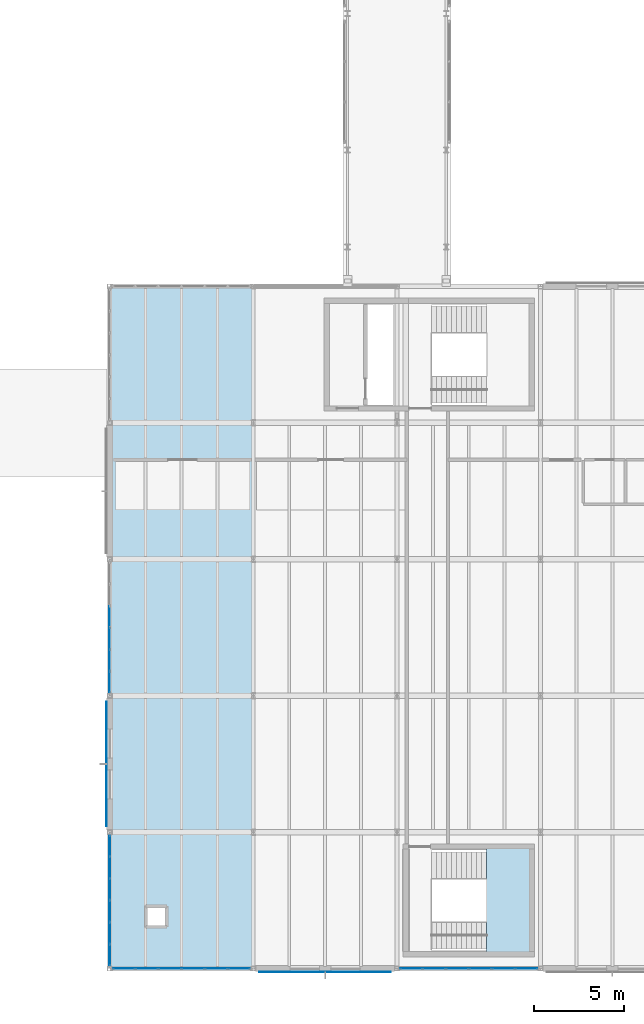
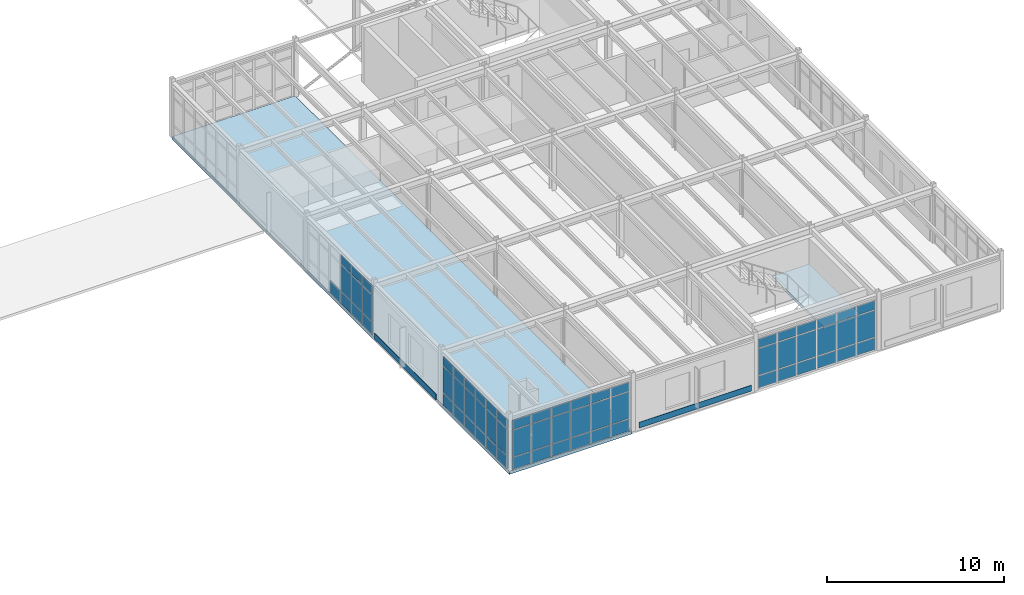
# One storey, part 150 of 189: 66 plates, 2 slabs, 5 elements without a shape of their own.
"""IFC4 building model written with IfcOpenShell, lengths in metres."""

import ifcopenshell
import ifcopenshell.guid

model = None  # the IFC model being written
_history = None  # IfcOwnerHistory: only IFC2X3 demands one
_inside = {}  # id of a spatial element -> (the spatial element, [elements in it])
_under = {}  # id of a project, library or spatial element -> (it, [spatial elements below it])
_declared = {}  # id of a project -> (the project, [libraries it declares])
_typed = {}  # id of a type object -> (the type object, [elements of that type])
_made_of = {}  # id of a material, layer set ... -> (it, [elements and type objects made of it])


def new_model(schema):
    """Start an empty IFC model of exactly this schema.

    Asked for "IFC4X3", IfcOpenShell would pick the latest addendum, in which some entities
    have other attributes; the version numbers below select the first issue.
    IFC2X3 requires an IfcOwnerHistory on every rooted entity: one is made here for all.
    """
    global model, _history
    if schema == "IFC4X3":
        model = ifcopenshell.file(schema_version=(4, 3, 0, 0))
    else:
        model = ifcopenshell.file(schema=schema)
    _inside.clear()
    _under.clear()
    _declared.clear()
    _typed.clear()
    _made_of.clear()
    _history = None
    if model.schema == "IFC2X3":
        org = make("IfcOrganization", Name="unknown")
        user = make(
            "IfcPersonAndOrganization",
            ThePerson=make("IfcPerson", FamilyName="unknown"),
            TheOrganization=org,
        )
        app = make(
            "IfcApplication",
            ApplicationDeveloper=org,
            Version="unknown",
            ApplicationFullName="unknown",
            ApplicationIdentifier="unknown",
        )
        _history = make(
            "IfcOwnerHistory",
            OwningUser=user,
            OwningApplication=app,
            ChangeAction="ADDED",
            CreationDate=0,
        )
    return model


def make(cls, **values):
    """One entity of the class cls with the attributes given. An attribute that is None is left unset."""
    return model.create_entity(
        cls, **{name: value for name, value in values.items() if value is not None}
    )


def rooted(cls, **values):
    """An entity with a GlobalId (a new one), such as an element, a storey or a relation."""
    return make(cls, GlobalId=ifcopenshell.guid.new(), OwnerHistory=_history, **values)


def si_unit(unit_type, name, prefix=None):
    """IfcSIUnit, for example si_unit("LENGTHUNIT", "METRE", prefix="MILLI")."""
    return make("IfcSIUnit", UnitType=unit_type, Prefix=prefix, Name=name)


def assignment(units):
    """IfcUnitAssignment: the units of a project."""
    return None if units is None else make("IfcUnitAssignment", Units=units)


def point(xyz):
    """IfcCartesianPoint."""
    return None if xyz is None else make("IfcCartesianPoint", Coordinates=xyz)


def direction(xyz):
    """IfcDirection."""
    return None if xyz is None else make("IfcDirection", DirectionRatios=xyz)


def frame(location, z_axis=None, x_axis=None):
    """IfcAxis2Placement3D, a coordinate frame: its origin and axes. An axis left out is left unset."""
    return make(
        "IfcAxis2Placement3D",
        Location=point(location),
        Axis=direction(z_axis),
        RefDirection=direction(x_axis),
    )


def frame_2d(location, x_axis=None):
    """IfcAxis2Placement2D, a coordinate frame in the plane: its origin and x axis."""
    return make(
        "IfcAxis2Placement2D", Location=point(location), RefDirection=direction(x_axis)
    )


def origin():
    """The frame at (0, 0, 0) with its axes left unset."""
    return frame((0.0, 0.0, 0.0))


def origin_2d():
    """The frame at (0, 0) in the plane with its x axis left unset."""
    return frame_2d((0.0, 0.0))


def place(relative_to, where):
    """IfcLocalPlacement: puts the frame where relative to a parent placement (None: the world)."""
    return make(
        "IfcLocalPlacement", PlacementRelTo=relative_to, RelativePlacement=where
    )


def context(
    kind, dimensions, precision=None, world=None, true_north=None, identifier=None
):
    """IfcGeometricRepresentationContext, for example the 3D "Model" context."""
    return make(
        "IfcGeometricRepresentationContext",
        ContextIdentifier=identifier,
        ContextType=kind,
        CoordinateSpaceDimension=dimensions,
        Precision=precision,
        WorldCoordinateSystem=world,
        TrueNorth=true_north,
    )


def subcontext(parent, identifier, kind, view, scale=None):
    """IfcGeometricRepresentationSubContext, for example "Body" below "Model"."""
    return make(
        "IfcGeometricRepresentationSubContext",
        ContextIdentifier=identifier,
        ContextType=kind,
        ParentContext=parent,
        TargetScale=scale,
        TargetView=view,
    )


def project(units=None, contexts=None):
    """IfcProject with its units and contexts."""
    return rooted(
        "IfcProject",
        Name="project",
        RepresentationContexts=contexts,
        UnitsInContext=assignment(units),
    )


def spatial(cls, under=None, at=None, **own):
    """A site, building, storey or space (cls), placed at a placement, below another one or the project."""
    s = rooted(cls, ObjectPlacement=at, **own)
    if under is not None:
        _under.setdefault(under.id(), (under, []))[1].append(s)
    return s


def polyline(points):
    """IfcPolyline through the points."""
    return make("IfcPolyline", Points=[point(p) for p in points])


def profile(cls, at=None, kind="AREA", **sizes):
    """A parametric profile (cls). Its sizes go by their IFC names, for example OverallWidth=200.0."""
    return make(cls, ProfileType=kind, Position=at, **sizes)


def rectangle(**sizes):
    """IfcRectangleProfileDef."""
    return profile("IfcRectangleProfileDef", **sizes)


def outline(outer, holes=None, kind="AREA"):
    """IfcArbitraryClosedProfileDef: a profile drawn as a closed curve; with holes, ...WithVoids."""
    if holes is None:
        return make("IfcArbitraryClosedProfileDef", ProfileType=kind, OuterCurve=outer)
    return make(
        "IfcArbitraryProfileDefWithVoids",
        ProfileType=kind,
        OuterCurve=outer,
        InnerCurves=holes,
    )


def extrude(swept, where, along, depth):
    """IfcExtrudedAreaSolid: the profile swept, set in the frame where, extruded along a direction by depth."""
    return make(
        "IfcExtrudedAreaSolid",
        SweptArea=swept,
        Position=where,
        ExtrudedDirection=direction(along),
        Depth=depth,
    )


def shape(context_of_items, identifier, shape_type, items):
    """IfcShapeRepresentation: the items that make up one representation, for example the "Body"."""
    return make(
        "IfcShapeRepresentation",
        ContextOfItems=context_of_items,
        RepresentationIdentifier=identifier,
        RepresentationType=shape_type,
        Items=items,
    )


def material(Name=None, Category=None):
    """IfcMaterial."""
    return make("IfcMaterial", Name=Name, Category=Category)


def layer(
    of_material, thickness, ventilated=None, Name=None, Category=None, Priority=None
):
    """IfcMaterialLayer: one layer of a wall or slab, of a material (None: an air gap)."""
    return make(
        "IfcMaterialLayer",
        Material=of_material,
        LayerThickness=thickness,
        IsVentilated=ventilated,
        Name=Name,
        Category=Category,
        Priority=Priority,
    )


def layer_set(layers, Name=None):
    """IfcMaterialLayerSet."""
    return make("IfcMaterialLayerSet", MaterialLayers=layers, LayerSetName=Name)


def made_of(thing, what):
    """Note that an element or type object is made of a material, layer set ...; save() writes the relation."""
    if what is not None:
        _made_of.setdefault(what.id(), (what, []))[1].append(thing)
    return thing


def type_object(cls, material=None, **own):
    """A type object (cls), such as IfcWallType, which elements share."""
    return made_of(rooted(cls, **own), material)


def element(
    cls,
    number,
    at=None,
    inside=None,
    cuts=None,
    type_object=None,
    material=None,
    context=None,
    identifier="Body",
    shape_type=None,
    held_by="IfcProductDefinitionShape",
    body=None,
    shapes=None,
    **own,
):
    """One element of the class cls, such as IfcWall. Its Tag is "e" and its number.

    at: its placement. inside: the storey or other place that contains it. cuts: it is an
    opening in that element (IfcRelVoidsElement). A single representation is given by context,
    identifier, shape_type and body (its items); several are given by shapes. held_by: the class
    of the entity that holds the representations. save() writes the other relations.
    """
    e = rooted(cls, Tag="e%d" % number, ObjectPlacement=at, **own)
    if body is not None:
        shapes = [shape(context, identifier, shape_type, body)]
    if shapes is not None:
        e.Representation = make(held_by, Representations=shapes)
    if inside is not None:
        _inside.setdefault(inside.id(), (inside, []))[1].append(e)
    if cuts is not None:
        rooted(
            "IfcRelVoidsElement", RelatingBuildingElement=cuts, RelatedOpeningElement=e
        )
    if type_object is not None:
        _typed.setdefault(type_object.id(), (type_object, []))[1].append(e)
    return made_of(e, material)


def aggregate(whole, parts):
    """IfcRelAggregates: a whole, such as a stair, and the parts it consists of."""
    return rooted("IfcRelAggregates", RelatingObject=whole, RelatedObjects=parts)


def save(model, path):
    """Write the relations noted so far, then the file.

    IfcRelAggregates (storeys below a building ...), IfcRelContainedInSpatialStructure (elements
    in a storey), IfcRelDefinesByType, IfcRelAssociatesMaterial and IfcRelDeclares: one each for
    every whole, place, type object, material and project.
    """
    for whole, parts in _under.values():
        aggregate(whole, parts)
    for where, things in _inside.values():
        rooted(
            "IfcRelContainedInSpatialStructure",
            RelatedElements=things,
            RelatingStructure=where,
        )
    for kind, things in _typed.values():
        rooted("IfcRelDefinesByType", RelatedObjects=things, RelatingType=kind)
    for what, things in _made_of.values():
        rooted("IfcRelAssociatesMaterial", RelatedObjects=things, RelatingMaterial=what)
    for by, libraries in _declared.values():
        rooted("IfcRelDeclares", RelatingContext=by, RelatedDefinitions=libraries)
    model.write(path)


model = new_model("IFC4")

# Units and contexts
model_context = context("Model", 3, precision=1e-05, world=origin(), true_north=direction((0.0, 1.0)))
body_context = subcontext(model_context, "Body", "Model", "MODEL_VIEW")
ifc_project = project(units=[si_unit("LENGTHUNIT", "METRE"), si_unit("AREAUNIT", "SQUARE_METRE"), si_unit("VOLUMEUNIT", "CUBIC_METRE"), si_unit("PLANEANGLEUNIT", "RADIAN"), si_unit("MASSUNIT", "GRAM", prefix="KILO")], contexts=[model_context])

# Site, building, storey
site_placement = place(None, origin())
site = spatial("IfcSite", under=ifc_project, at=site_placement, CompositionType="ELEMENT")
building_placement = place(site_placement, origin())
building = spatial("IfcBuilding", under=site, at=building_placement, Name="Montecoro Central Library", CompositionType="ELEMENT")
storey_placement = place(building_placement, frame((0.0, 0.0, 9.179931640625)))
storey = spatial("IfcBuildingStorey", under=building, at=storey_placement, Name="L02", CompositionType="ELEMENT", Elevation=9.179931640625)

# Curtain wall, plates
ifc_material_1 = material(Name="Bronze-anodised aluminium and low-E glazing", Category="aluminium")
ifc_layer_1 = layer(ifc_material_1, 0.159912109375)
ifc_layer_set_1 = layer_set([ifc_layer_1], Name="Bronze-anodised aluminium and low-E glazing")
curtain_wall_type_1 = type_object("IfcCurtainWallType", Name="CWT-064", PredefinedType="NOTDEFINED", material=ifc_layer_set_1)
curtain_wall_1_placement = place(storey_placement, origin())
curtain_wall_1 = element("IfcCurtainWall", 1, at=curtain_wall_1_placement, inside=storey, type_object=curtain_wall_type_1, Name="V6-L02-CW-S2", PredefinedType="NOTDEFINED")
ifc_material_2 = material(Name="Laminated low-E double glazing", Category="glass")
ifc_layer_2 = layer(ifc_material_2, 0.02587890625)
ifc_layer_set_2 = layer_set([ifc_layer_2], Name="Laminated low-E double glazing")
plate_type_1 = type_object("IfcPlateType", Name="CWP-GLZ-01", PredefinedType="CURTAIN_PANEL", material=ifc_layer_set_2)
plate_1_placement = place(storey_placement, frame((157.79248046875, 5.0, 0.06005859375), z_axis=(0.0, 0.0, 1.0), x_axis=(1.0, 0.0, 0.0)))
plate_1 = element("IfcPlate", 2, at=plate_1_placement, type_object=plate_type_1, Name="CW-064 panel 1.1", PredefinedType="CURTAIN_PANEL", context=body_context, shape_type="SweptSolid", body=[
    extrude(rectangle(XDim=1.198974609375, YDim=0.02587890625, at=origin_2d()), origin(), (0.0, 0.0, 1.0), 0.81005859375),
])
plate_2_placement = place(storey_placement, frame((157.79248046875, 5.0, 0.93017578125), z_axis=(0.0, 0.0, 1.0), x_axis=(1.0, 0.0, 0.0)))
plate_2 = element("IfcPlate", 3, at=plate_2_placement, type_object=plate_type_1, Name="CW-064 panel 1.2", PredefinedType="CURTAIN_PANEL", context=body_context, shape_type="SweptSolid", body=[
    extrude(rectangle(XDim=1.198974609375, YDim=0.02587890625, at=origin_2d()), origin(), (0.0, 0.0, 1.0), 1.820068359375),
])
plate_3_placement = place(storey_placement, frame((157.79248046875, 5.0, 2.81005859375), z_axis=(0.0, 0.0, 1.0), x_axis=(1.0, 0.0, 0.0)))
plate_3 = element("IfcPlate", 4, at=plate_3_placement, type_object=plate_type_1, Name="CW-064 panel 1.3", PredefinedType="CURTAIN_PANEL", context=body_context, shape_type="SweptSolid", body=[
    extrude(rectangle(XDim=1.198974609375, YDim=0.02587890625, at=origin_2d()), origin(), (0.0, 0.0, 1.0), 0.610107421875),
])
plate_4_placement = place(storey_placement, frame((159.06640625, 5.0, 0.06005859375), z_axis=(0.0, 0.0, 1.0), x_axis=(1.0, 0.0, 0.0)))
plate_4 = element("IfcPlate", 5, at=plate_4_placement, type_object=plate_type_1, Name="CW-064 panel 2.1", PredefinedType="CURTAIN_PANEL", context=body_context, shape_type="SweptSolid", body=[
    extrude(rectangle(XDim=1.22900390625, YDim=0.02587890625, at=origin_2d()), origin(), (0.0, 0.0, 1.0), 0.81005859375),
])
plate_5_placement = place(storey_placement, frame((159.06640625, 5.0, 0.93017578125), z_axis=(0.0, 0.0, 1.0), x_axis=(1.0, 0.0, 0.0)))
plate_5 = element("IfcPlate", 6, at=plate_5_placement, type_object=plate_type_1, Name="CW-064 panel 2.2", PredefinedType="CURTAIN_PANEL", context=body_context, shape_type="SweptSolid", body=[
    extrude(rectangle(XDim=1.22900390625, YDim=0.02587890625, at=origin_2d()), origin(), (0.0, 0.0, 1.0), 1.820068359375),
])
plate_6_placement = place(storey_placement, frame((159.06640625, 5.0, 2.81005859375), z_axis=(0.0, 0.0, 1.0), x_axis=(1.0, 0.0, 0.0)))
plate_6 = element("IfcPlate", 7, at=plate_6_placement, type_object=plate_type_1, Name="CW-064 panel 2.3", PredefinedType="CURTAIN_PANEL", context=body_context, shape_type="SweptSolid", body=[
    extrude(rectangle(XDim=1.22900390625, YDim=0.02587890625, at=origin_2d()), origin(), (0.0, 0.0, 1.0), 0.610107421875),
])
plate_7_placement = place(storey_placement, frame((160.35546875, 5.0, 0.06005859375), z_axis=(0.0, 0.0, 1.0), x_axis=(1.0, 0.0, 0.0)))
plate_7 = element("IfcPlate", 8, at=plate_7_placement, type_object=plate_type_1, Name="CW-064 panel 3.1", PredefinedType="CURTAIN_PANEL", context=body_context, shape_type="SweptSolid", body=[
    extrude(rectangle(XDim=1.22900390625, YDim=0.02587890625, at=origin_2d()), origin(), (0.0, 0.0, 1.0), 0.81005859375),
])
plate_8_placement = place(storey_placement, frame((160.35546875, 5.0, 0.93017578125), z_axis=(0.0, 0.0, 1.0), x_axis=(1.0, 0.0, 0.0)))
plate_8 = element("IfcPlate", 9, at=plate_8_placement, type_object=plate_type_1, Name="CW-064 panel 3.2", PredefinedType="CURTAIN_PANEL", context=body_context, shape_type="SweptSolid", body=[
    extrude(rectangle(XDim=1.22900390625, YDim=0.02587890625, at=origin_2d()), origin(), (0.0, 0.0, 1.0), 1.820068359375),
])
plate_9_placement = place(storey_placement, frame((160.35546875, 5.0, 2.81005859375), z_axis=(0.0, 0.0, 1.0), x_axis=(1.0, 0.0, 0.0)))
plate_9 = element("IfcPlate", 10, at=plate_9_placement, type_object=plate_type_1, Name="CW-064 panel 3.3", PredefinedType="CURTAIN_PANEL", context=body_context, shape_type="SweptSolid", body=[
    extrude(rectangle(XDim=1.22900390625, YDim=0.02587890625, at=origin_2d()), origin(), (0.0, 0.0, 1.0), 0.610107421875),
])
plate_10_placement = place(storey_placement, frame((161.64453125, 5.0, 0.06005859375), z_axis=(0.0, 0.0, 1.0), x_axis=(1.0, 0.0, 0.0)))
plate_10 = element("IfcPlate", 11, at=plate_10_placement, type_object=plate_type_1, Name="CW-064 panel 4.1", PredefinedType="CURTAIN_PANEL", context=body_context, shape_type="SweptSolid", body=[
    extrude(rectangle(XDim=1.22900390625, YDim=0.02587890625, at=origin_2d()), origin(), (0.0, 0.0, 1.0), 0.81005859375),
])
plate_11_placement = place(storey_placement, frame((161.64453125, 5.0, 0.93017578125), z_axis=(0.0, 0.0, 1.0), x_axis=(1.0, 0.0, 0.0)))
plate_11 = element("IfcPlate", 12, at=plate_11_placement, type_object=plate_type_1, Name="CW-064 panel 4.2", PredefinedType="CURTAIN_PANEL", context=body_context, shape_type="SweptSolid", body=[
    extrude(rectangle(XDim=1.22900390625, YDim=0.02587890625, at=origin_2d()), origin(), (0.0, 0.0, 1.0), 1.820068359375),
])
plate_12_placement = place(storey_placement, frame((161.64453125, 5.0, 2.81005859375), z_axis=(0.0, 0.0, 1.0), x_axis=(1.0, 0.0, 0.0)))
plate_12 = element("IfcPlate", 13, at=plate_12_placement, type_object=plate_type_1, Name="CW-064 panel 4.3", PredefinedType="CURTAIN_PANEL", context=body_context, shape_type="SweptSolid", body=[
    extrude(rectangle(XDim=1.22900390625, YDim=0.02587890625, at=origin_2d()), origin(), (0.0, 0.0, 1.0), 0.610107421875),
])
plate_13_placement = place(storey_placement, frame((162.93359375, 5.0, 0.06005859375), z_axis=(0.0, 0.0, 1.0), x_axis=(1.0, 0.0, 0.0)))
plate_13 = element("IfcPlate", 14, at=plate_13_placement, type_object=plate_type_1, Name="CW-064 panel 5.1", PredefinedType="CURTAIN_PANEL", context=body_context, shape_type="SweptSolid", body=[
    extrude(rectangle(XDim=1.22900390625, YDim=0.02587890625, at=origin_2d()), origin(), (0.0, 0.0, 1.0), 0.81005859375),
])
plate_14_placement = place(storey_placement, frame((162.93359375, 5.0, 0.93017578125), z_axis=(0.0, 0.0, 1.0), x_axis=(1.0, 0.0, 0.0)))
plate_14 = element("IfcPlate", 15, at=plate_14_placement, type_object=plate_type_1, Name="CW-064 panel 5.2", PredefinedType="CURTAIN_PANEL", context=body_context, shape_type="SweptSolid", body=[
    extrude(rectangle(XDim=1.22900390625, YDim=0.02587890625, at=origin_2d()), origin(), (0.0, 0.0, 1.0), 1.820068359375),
])
plate_15_placement = place(storey_placement, frame((162.93359375, 5.0, 2.81005859375), z_axis=(0.0, 0.0, 1.0), x_axis=(1.0, 0.0, 0.0)))
plate_15 = element("IfcPlate", 16, at=plate_15_placement, type_object=plate_type_1, Name="CW-064 panel 5.3", PredefinedType="CURTAIN_PANEL", context=body_context, shape_type="SweptSolid", body=[
    extrude(rectangle(XDim=1.22900390625, YDim=0.02587890625, at=origin_2d()), origin(), (0.0, 0.0, 1.0), 0.610107421875),
])
plate_16_placement = place(storey_placement, frame((164.20751953125, 5.0, 0.06005859375), z_axis=(0.0, 0.0, 1.0), x_axis=(1.0, 0.0, 0.0)))
plate_16 = element("IfcPlate", 17, at=plate_16_placement, type_object=plate_type_1, Name="CW-064 panel 6.1", PredefinedType="CURTAIN_PANEL", context=body_context, shape_type="SweptSolid", body=[
    extrude(rectangle(XDim=1.198974609375, YDim=0.02587890625, at=origin_2d()), origin(), (0.0, 0.0, 1.0), 0.81005859375),
])
plate_17_placement = place(storey_placement, frame((164.20751953125, 5.0, 0.93017578125), z_axis=(0.0, 0.0, 1.0), x_axis=(1.0, 0.0, 0.0)))
plate_17 = element("IfcPlate", 18, at=plate_17_placement, type_object=plate_type_1, Name="CW-064 panel 6.2", PredefinedType="CURTAIN_PANEL", context=body_context, shape_type="SweptSolid", body=[
    extrude(rectangle(XDim=1.198974609375, YDim=0.02587890625, at=origin_2d()), origin(), (0.0, 0.0, 1.0), 1.820068359375),
])
plate_18_placement = place(storey_placement, frame((164.20751953125, 5.0, 2.81005859375), z_axis=(0.0, 0.0, 1.0), x_axis=(1.0, 0.0, 0.0)))
plate_18 = element("IfcPlate", 19, at=plate_18_placement, type_object=plate_type_1, Name="CW-064 panel 6.3", PredefinedType="CURTAIN_PANEL", context=body_context, shape_type="SweptSolid", body=[
    extrude(rectangle(XDim=1.198974609375, YDim=0.02587890625, at=origin_2d()), origin(), (0.0, 0.0, 1.0), 0.610107421875),
])
aggregate(curtain_wall_1, [plate_1, plate_2, plate_3, plate_4, plate_5, plate_6, plate_7, plate_8, plate_9, plate_10, plate_11, plate_12, plate_13, plate_14, plate_15, plate_16, plate_17, plate_18])

ifc_layer_3 = layer(ifc_material_1, 0.159912109375)
ifc_layer_set_3 = layer_set([ifc_layer_3], Name="Bronze-anodised aluminium and low-E glazing")
curtain_wall_type_2 = type_object("IfcCurtainWallType", Name="CWT-067", PredefinedType="NOTDEFINED", material=ifc_layer_set_3)
curtain_wall_2_placement = place(storey_placement, origin())
curtain_wall_2 = element("IfcCurtainWall", 20, at=curtain_wall_2_placement, inside=storey, type_object=curtain_wall_type_2, Name="V6-L02-CW-W2", PredefinedType="NOTDEFINED")
plate_19_placement = place(storey_placement, frame((141.0, 24.611083984375, 0.06005859375), z_axis=(0.0, 0.0, 1.0), x_axis=(0.0, -1.0, 0.0)))
plate_19 = element("IfcPlate", 21, at=plate_19_placement, type_object=plate_type_1, Name="CW-067 panel 3.1", PredefinedType="CURTAIN_PANEL", context=body_context, shape_type="SweptSolid", body=[
    extrude(rectangle(XDim=1.162353515625, YDim=0.02587890625, at=origin_2d()), origin(), (0.0, 0.0, 1.0), 0.81005859375),
])
plate_20_placement = place(storey_placement, frame((141.0, 23.388916015625, 0.06005859375), z_axis=(0.0, 0.0, 1.0), x_axis=(0.0, -1.0, 0.0)))
plate_20 = element("IfcPlate", 22, at=plate_20_placement, type_object=plate_type_1, Name="CW-067 panel 4.1", PredefinedType="CURTAIN_PANEL", context=body_context, shape_type="SweptSolid", body=[
    extrude(rectangle(XDim=1.162353515625, YDim=0.02587890625, at=origin_2d()), origin(), (0.0, 0.0, 1.0), 0.81005859375),
])
plate_21_placement = place(storey_placement, frame((141.0, 23.388916015625, 0.93017578125), z_axis=(0.0, 0.0, 1.0), x_axis=(0.0, -1.0, 0.0)))
plate_21 = element("IfcPlate", 23, at=plate_21_placement, type_object=plate_type_1, Name="CW-067 panel 4.2", PredefinedType="CURTAIN_PANEL", context=body_context, shape_type="SweptSolid", body=[
    extrude(rectangle(XDim=1.162353515625, YDim=0.02587890625, at=origin_2d()), origin(), (0.0, 0.0, 1.0), 1.820068359375),
])
plate_22_placement = place(storey_placement, frame((141.0, 23.388916015625, 2.81005859375), z_axis=(0.0, 0.0, 1.0), x_axis=(0.0, -1.0, 0.0)))
plate_22 = element("IfcPlate", 24, at=plate_22_placement, type_object=plate_type_1, Name="CW-067 panel 4.3", PredefinedType="CURTAIN_PANEL", context=body_context, shape_type="SweptSolid", body=[
    extrude(rectangle(XDim=1.162353515625, YDim=0.02587890625, at=origin_2d()), origin(), (0.0, 0.0, 1.0), 0.610107421875),
])
plate_23_placement = place(storey_placement, frame((141.0, 22.16650390625, 0.06005859375), z_axis=(0.0, 0.0, 1.0), x_axis=(0.0, -1.0, 0.0)))
plate_23 = element("IfcPlate", 25, at=plate_23_placement, type_object=plate_type_1, Name="CW-067 panel 5.1", PredefinedType="CURTAIN_PANEL", context=body_context, shape_type="SweptSolid", body=[
    extrude(rectangle(XDim=1.162353515625, YDim=0.02587890625, at=origin_2d()), origin(), (0.0, 0.0, 1.0), 0.81005859375),
])
plate_24_placement = place(storey_placement, frame((141.0, 22.16650390625, 0.93017578125), z_axis=(0.0, 0.0, 1.0), x_axis=(0.0, -1.0, 0.0)))
plate_24 = element("IfcPlate", 26, at=plate_24_placement, type_object=plate_type_1, Name="CW-067 panel 5.2", PredefinedType="CURTAIN_PANEL", context=body_context, shape_type="SweptSolid", body=[
    extrude(rectangle(XDim=1.162353515625, YDim=0.02587890625, at=origin_2d()), origin(), (0.0, 0.0, 1.0), 1.820068359375),
])
plate_25_placement = place(storey_placement, frame((141.0, 22.16650390625, 2.81005859375), z_axis=(0.0, 0.0, 1.0), x_axis=(0.0, -1.0, 0.0)))
plate_25 = element("IfcPlate", 27, at=plate_25_placement, type_object=plate_type_1, Name="CW-067 panel 5.3", PredefinedType="CURTAIN_PANEL", context=body_context, shape_type="SweptSolid", body=[
    extrude(rectangle(XDim=1.162353515625, YDim=0.02587890625, at=origin_2d()), origin(), (0.0, 0.0, 1.0), 0.610107421875),
])
plate_26_placement = place(storey_placement, frame((141.0, 20.959228515625, 0.06005859375), z_axis=(0.0, 0.0, 1.0), x_axis=(0.0, -1.0, 0.0)))
plate_26 = element("IfcPlate", 28, at=plate_26_placement, type_object=plate_type_1, Name="CW-067 panel 6.1", PredefinedType="CURTAIN_PANEL", context=body_context, shape_type="SweptSolid", body=[
    extrude(rectangle(XDim=1.13232421875, YDim=0.02587890625, at=origin_2d()), origin(), (0.0, 0.0, 1.0), 0.81005859375),
])
plate_27_placement = place(storey_placement, frame((141.0, 20.959228515625, 0.93017578125), z_axis=(0.0, 0.0, 1.0), x_axis=(0.0, -1.0, 0.0)))
plate_27 = element("IfcPlate", 29, at=plate_27_placement, type_object=plate_type_1, Name="CW-067 panel 6.2", PredefinedType="CURTAIN_PANEL", context=body_context, shape_type="SweptSolid", body=[
    extrude(rectangle(XDim=1.13232421875, YDim=0.02587890625, at=origin_2d()), origin(), (0.0, 0.0, 1.0), 1.820068359375),
])
plate_28_placement = place(storey_placement, frame((141.0, 20.959228515625, 2.81005859375), z_axis=(0.0, 0.0, 1.0), x_axis=(0.0, -1.0, 0.0)))
plate_28 = element("IfcPlate", 30, at=plate_28_placement, type_object=plate_type_1, Name="CW-067 panel 6.3", PredefinedType="CURTAIN_PANEL", context=body_context, shape_type="SweptSolid", body=[
    extrude(rectangle(XDim=1.13232421875, YDim=0.02587890625, at=origin_2d()), origin(), (0.0, 0.0, 1.0), 0.610107421875),
])
aggregate(curtain_wall_2, [plate_19, plate_20, plate_21, plate_22, plate_23, plate_24, plate_25, plate_26, plate_27, plate_28])

curtain_wall_3_placement = place(storey_placement, origin())
curtain_wall_3 = element("IfcCurtainWall", 31, at=curtain_wall_3_placement, inside=storey, type_object=curtain_wall_type_1, Name="V6-L02-CW-S0", PredefinedType="NOTDEFINED")
ifc_layer_4 = layer(ifc_material_2, 0.0380859375)
ifc_layer_set_4 = layer_set([ifc_layer_4], Name="Laminated low-E double glazing")
plate_type_2 = type_object("IfcPlateType", Name="CWP-GLZ-04", PredefinedType="CURTAIN_PANEL", material=ifc_layer_set_4)
plate_29_placement = place(storey_placement, frame((141.79248046875, 5.0, 0.06005859375), z_axis=(0.0, 0.0, 1.0), x_axis=(1.0, 0.0, 0.0)))
plate_29 = element("IfcPlate", 32, at=plate_29_placement, type_object=plate_type_2, Name="CW-064 panel 1.1", PredefinedType="CURTAIN_PANEL", context=body_context, shape_type="SweptSolid", body=[
    extrude(rectangle(XDim=1.198974609375, YDim=0.0380859375, at=origin_2d()), origin(), (0.0, 0.0, 1.0), 0.81005859375),
])
plate_30_placement = place(storey_placement, frame((141.79248046875, 5.0, 0.93017578125), z_axis=(0.0, 0.0, 1.0), x_axis=(1.0, 0.0, 0.0)))
plate_30 = element("IfcPlate", 33, at=plate_30_placement, type_object=plate_type_2, Name="CW-064 panel 1.2", PredefinedType="CURTAIN_PANEL", context=body_context, shape_type="SweptSolid", body=[
    extrude(rectangle(XDim=1.198974609375, YDim=0.0380859375, at=origin_2d()), origin(), (0.0, 0.0, 1.0), 1.820068359375),
])
plate_31_placement = place(storey_placement, frame((141.79248046875, 5.0, 2.81005859375), z_axis=(0.0, 0.0, 1.0), x_axis=(1.0, 0.0, 0.0)))
plate_31 = element("IfcPlate", 34, at=plate_31_placement, type_object=plate_type_2, Name="CW-064 panel 1.3", PredefinedType="CURTAIN_PANEL", context=body_context, shape_type="SweptSolid", body=[
    extrude(rectangle(XDim=1.198974609375, YDim=0.0380859375, at=origin_2d()), origin(), (0.0, 0.0, 1.0), 0.610107421875),
])
plate_32_placement = place(storey_placement, frame((143.06640625, 5.0, 0.06005859375), z_axis=(0.0, 0.0, 1.0), x_axis=(1.0, 0.0, 0.0)))
plate_32 = element("IfcPlate", 35, at=plate_32_placement, type_object=plate_type_2, Name="CW-064 panel 2.1", PredefinedType="CURTAIN_PANEL", context=body_context, shape_type="SweptSolid", body=[
    extrude(rectangle(XDim=1.22900390625, YDim=0.0380859375, at=origin_2d()), origin(), (0.0, 0.0, 1.0), 0.81005859375),
])
plate_33_placement = place(storey_placement, frame((143.06640625, 5.0, 0.93017578125), z_axis=(0.0, 0.0, 1.0), x_axis=(1.0, 0.0, 0.0)))
plate_33 = element("IfcPlate", 36, at=plate_33_placement, type_object=plate_type_2, Name="CW-064 panel 2.2", PredefinedType="CURTAIN_PANEL", context=body_context, shape_type="SweptSolid", body=[
    extrude(rectangle(XDim=1.22900390625, YDim=0.0380859375, at=origin_2d()), origin(), (0.0, 0.0, 1.0), 1.820068359375),
])
plate_34_placement = place(storey_placement, frame((143.06640625, 5.0, 2.81005859375), z_axis=(0.0, 0.0, 1.0), x_axis=(1.0, 0.0, 0.0)))
plate_34 = element("IfcPlate", 37, at=plate_34_placement, type_object=plate_type_2, Name="CW-064 panel 2.3", PredefinedType="CURTAIN_PANEL", context=body_context, shape_type="SweptSolid", body=[
    extrude(rectangle(XDim=1.22900390625, YDim=0.0380859375, at=origin_2d()), origin(), (0.0, 0.0, 1.0), 0.610107421875),
])
plate_35_placement = place(storey_placement, frame((144.35546875, 5.0, 0.06005859375), z_axis=(0.0, 0.0, 1.0), x_axis=(1.0, 0.0, 0.0)))
plate_35 = element("IfcPlate", 38, at=plate_35_placement, type_object=plate_type_2, Name="CW-064 panel 3.1", PredefinedType="CURTAIN_PANEL", context=body_context, shape_type="SweptSolid", body=[
    extrude(rectangle(XDim=1.22900390625, YDim=0.0380859375, at=origin_2d()), origin(), (0.0, 0.0, 1.0), 0.81005859375),
])
plate_36_placement = place(storey_placement, frame((144.35546875, 5.0, 0.93017578125), z_axis=(0.0, 0.0, 1.0), x_axis=(1.0, 0.0, 0.0)))
plate_36 = element("IfcPlate", 39, at=plate_36_placement, type_object=plate_type_2, Name="CW-064 panel 3.2", PredefinedType="CURTAIN_PANEL", context=body_context, shape_type="SweptSolid", body=[
    extrude(rectangle(XDim=1.22900390625, YDim=0.0380859375, at=origin_2d()), origin(), (0.0, 0.0, 1.0), 1.820068359375),
])
plate_37_placement = place(storey_placement, frame((144.35546875, 5.0, 2.81005859375), z_axis=(0.0, 0.0, 1.0), x_axis=(1.0, 0.0, 0.0)))
plate_37 = element("IfcPlate", 40, at=plate_37_placement, type_object=plate_type_2, Name="CW-064 panel 3.3", PredefinedType="CURTAIN_PANEL", context=body_context, shape_type="SweptSolid", body=[
    extrude(rectangle(XDim=1.22900390625, YDim=0.0380859375, at=origin_2d()), origin(), (0.0, 0.0, 1.0), 0.610107421875),
])
plate_38_placement = place(storey_placement, frame((145.64453125, 5.0, 0.06005859375), z_axis=(0.0, 0.0, 1.0), x_axis=(1.0, 0.0, 0.0)))
plate_38 = element("IfcPlate", 41, at=plate_38_placement, type_object=plate_type_2, Name="CW-064 panel 4.1", PredefinedType="CURTAIN_PANEL", context=body_context, shape_type="SweptSolid", body=[
    extrude(rectangle(XDim=1.22900390625, YDim=0.0380859375, at=origin_2d()), origin(), (0.0, 0.0, 1.0), 0.81005859375),
])
plate_39_placement = place(storey_placement, frame((145.64453125, 5.0, 0.93017578125), z_axis=(0.0, 0.0, 1.0), x_axis=(1.0, 0.0, 0.0)))
plate_39 = element("IfcPlate", 42, at=plate_39_placement, type_object=plate_type_2, Name="CW-064 panel 4.2", PredefinedType="CURTAIN_PANEL", context=body_context, shape_type="SweptSolid", body=[
    extrude(rectangle(XDim=1.22900390625, YDim=0.0380859375, at=origin_2d()), origin(), (0.0, 0.0, 1.0), 1.820068359375),
])
plate_40_placement = place(storey_placement, frame((145.64453125, 5.0, 2.81005859375), z_axis=(0.0, 0.0, 1.0), x_axis=(1.0, 0.0, 0.0)))
plate_40 = element("IfcPlate", 43, at=plate_40_placement, type_object=plate_type_2, Name="CW-064 panel 4.3", PredefinedType="CURTAIN_PANEL", context=body_context, shape_type="SweptSolid", body=[
    extrude(rectangle(XDim=1.22900390625, YDim=0.0380859375, at=origin_2d()), origin(), (0.0, 0.0, 1.0), 0.610107421875),
])
plate_41_placement = place(storey_placement, frame((146.93359375, 5.0, 0.06005859375), z_axis=(0.0, 0.0, 1.0), x_axis=(1.0, 0.0, 0.0)))
plate_41 = element("IfcPlate", 44, at=plate_41_placement, type_object=plate_type_2, Name="CW-064 panel 5.1", PredefinedType="CURTAIN_PANEL", context=body_context, shape_type="SweptSolid", body=[
    extrude(rectangle(XDim=1.22900390625, YDim=0.0380859375, at=origin_2d()), origin(), (0.0, 0.0, 1.0), 0.81005859375),
])
plate_42_placement = place(storey_placement, frame((146.93359375, 5.0, 0.93017578125), z_axis=(0.0, 0.0, 1.0), x_axis=(1.0, 0.0, 0.0)))
plate_42 = element("IfcPlate", 45, at=plate_42_placement, type_object=plate_type_2, Name="CW-064 panel 5.2", PredefinedType="CURTAIN_PANEL", context=body_context, shape_type="SweptSolid", body=[
    extrude(rectangle(XDim=1.22900390625, YDim=0.0380859375, at=origin_2d()), origin(), (0.0, 0.0, 1.0), 1.820068359375),
])
plate_43_placement = place(storey_placement, frame((146.93359375, 5.0, 2.81005859375), z_axis=(0.0, 0.0, 1.0), x_axis=(1.0, 0.0, 0.0)))
plate_43 = element("IfcPlate", 46, at=plate_43_placement, type_object=plate_type_2, Name="CW-064 panel 5.3", PredefinedType="CURTAIN_PANEL", context=body_context, shape_type="SweptSolid", body=[
    extrude(rectangle(XDim=1.22900390625, YDim=0.0380859375, at=origin_2d()), origin(), (0.0, 0.0, 1.0), 0.610107421875),
])
plate_44_placement = place(storey_placement, frame((148.20751953125, 5.0, 0.06005859375), z_axis=(0.0, 0.0, 1.0), x_axis=(1.0, 0.0, 0.0)))
plate_44 = element("IfcPlate", 47, at=plate_44_placement, type_object=plate_type_2, Name="CW-064 panel 6.1", PredefinedType="CURTAIN_PANEL", context=body_context, shape_type="SweptSolid", body=[
    extrude(rectangle(XDim=1.198974609375, YDim=0.0380859375, at=origin_2d()), origin(), (0.0, 0.0, 1.0), 0.81005859375),
])
plate_45_placement = place(storey_placement, frame((148.20751953125, 5.0, 0.93017578125), z_axis=(0.0, 0.0, 1.0), x_axis=(1.0, 0.0, 0.0)))
plate_45 = element("IfcPlate", 48, at=plate_45_placement, type_object=plate_type_2, Name="CW-064 panel 6.2", PredefinedType="CURTAIN_PANEL", context=body_context, shape_type="SweptSolid", body=[
    extrude(rectangle(XDim=1.198974609375, YDim=0.0380859375, at=origin_2d()), origin(), (0.0, 0.0, 1.0), 1.820068359375),
])
plate_46_placement = place(storey_placement, frame((148.20751953125, 5.0, 2.81005859375), z_axis=(0.0, 0.0, 1.0), x_axis=(1.0, 0.0, 0.0)))
plate_46 = element("IfcPlate", 49, at=plate_46_placement, type_object=plate_type_2, Name="CW-064 panel 6.3", PredefinedType="CURTAIN_PANEL", context=body_context, shape_type="SweptSolid", body=[
    extrude(rectangle(XDim=1.198974609375, YDim=0.0380859375, at=origin_2d()), origin(), (0.0, 0.0, 1.0), 0.610107421875),
])
aggregate(curtain_wall_3, [plate_29, plate_30, plate_31, plate_32, plate_33, plate_34, plate_35, plate_36, plate_37, plate_38, plate_39, plate_40, plate_41, plate_42, plate_43, plate_44, plate_45, plate_46])

curtain_wall_4_placement = place(storey_placement, origin())
curtain_wall_4 = element("IfcCurtainWall", 50, at=curtain_wall_4_placement, inside=storey, type_object=curtain_wall_type_2, Name="V6-L02-CW-W0", PredefinedType="NOTDEFINED")
plate_47_placement = place(storey_placement, frame((141.0, 11.8408203125, 0.06005859375), z_axis=(0.0, 0.0, 1.0), x_axis=(0.0, -1.0, 0.0)))
plate_47 = element("IfcPlate", 51, at=plate_47_placement, type_object=plate_type_2, Name="CW-067 panel 1.1", PredefinedType="CURTAIN_PANEL", context=body_context, shape_type="SweptSolid", body=[
    extrude(rectangle(XDim=1.13232421875, YDim=0.0380859375, at=origin_2d()), origin(), (0.0, 0.0, 1.0), 0.81005859375),
])
plate_48_placement = place(storey_placement, frame((141.0, 11.8408203125, 0.93017578125), z_axis=(0.0, 0.0, 1.0), x_axis=(0.0, -1.0, 0.0)))
plate_48 = element("IfcPlate", 52, at=plate_48_placement, type_object=plate_type_2, Name="CW-067 panel 1.2", PredefinedType="CURTAIN_PANEL", context=body_context, shape_type="SweptSolid", body=[
    extrude(rectangle(XDim=1.13232421875, YDim=0.0380859375, at=origin_2d()), origin(), (0.0, 0.0, 1.0), 1.820068359375),
])
plate_49_placement = place(storey_placement, frame((141.0, 11.8408203125, 2.81005859375), z_axis=(0.0, 0.0, 1.0), x_axis=(0.0, -1.0, 0.0)))
plate_49 = element("IfcPlate", 53, at=plate_49_placement, type_object=plate_type_2, Name="CW-067 panel 1.3", PredefinedType="CURTAIN_PANEL", context=body_context, shape_type="SweptSolid", body=[
    extrude(rectangle(XDim=1.13232421875, YDim=0.0380859375, at=origin_2d()), origin(), (0.0, 0.0, 1.0), 0.610107421875),
])
plate_50_placement = place(storey_placement, frame((141.0, 10.633544921875, 0.06005859375), z_axis=(0.0, 0.0, 1.0), x_axis=(0.0, -1.0, 0.0)))
plate_50 = element("IfcPlate", 54, at=plate_50_placement, type_object=plate_type_2, Name="CW-067 panel 2.1", PredefinedType="CURTAIN_PANEL", context=body_context, shape_type="SweptSolid", body=[
    extrude(rectangle(XDim=1.162353515625, YDim=0.0380859375, at=origin_2d()), origin(), (0.0, 0.0, 1.0), 0.81005859375),
])
plate_51_placement = place(storey_placement, frame((141.0, 10.633544921875, 0.93017578125), z_axis=(0.0, 0.0, 1.0), x_axis=(0.0, -1.0, 0.0)))
plate_51 = element("IfcPlate", 55, at=plate_51_placement, type_object=plate_type_2, Name="CW-067 panel 2.2", PredefinedType="CURTAIN_PANEL", context=body_context, shape_type="SweptSolid", body=[
    extrude(rectangle(XDim=1.162353515625, YDim=0.0380859375, at=origin_2d()), origin(), (0.0, 0.0, 1.0), 1.820068359375),
])
plate_52_placement = place(storey_placement, frame((141.0, 10.633544921875, 2.81005859375), z_axis=(0.0, 0.0, 1.0), x_axis=(0.0, -1.0, 0.0)))
plate_52 = element("IfcPlate", 56, at=plate_52_placement, type_object=plate_type_2, Name="CW-067 panel 2.3", PredefinedType="CURTAIN_PANEL", context=body_context, shape_type="SweptSolid", body=[
    extrude(rectangle(XDim=1.162353515625, YDim=0.0380859375, at=origin_2d()), origin(), (0.0, 0.0, 1.0), 0.610107421875),
])
plate_53_placement = place(storey_placement, frame((141.0, 9.4111328125, 0.06005859375), z_axis=(0.0, 0.0, 1.0), x_axis=(0.0, -1.0, 0.0)))
plate_53 = element("IfcPlate", 57, at=plate_53_placement, type_object=plate_type_2, Name="CW-067 panel 3.1", PredefinedType="CURTAIN_PANEL", context=body_context, shape_type="SweptSolid", body=[
    extrude(rectangle(XDim=1.162353515625, YDim=0.0380859375, at=origin_2d()), origin(), (0.0, 0.0, 1.0), 0.81005859375),
])
plate_54_placement = place(storey_placement, frame((141.0, 9.4111328125, 0.93017578125), z_axis=(0.0, 0.0, 1.0), x_axis=(0.0, -1.0, 0.0)))
plate_54 = element("IfcPlate", 58, at=plate_54_placement, type_object=plate_type_2, Name="CW-067 panel 3.2", PredefinedType="CURTAIN_PANEL", context=body_context, shape_type="SweptSolid", body=[
    extrude(rectangle(XDim=1.162353515625, YDim=0.0380859375, at=origin_2d()), origin(), (0.0, 0.0, 1.0), 1.820068359375),
])
plate_55_placement = place(storey_placement, frame((141.0, 9.4111328125, 2.81005859375), z_axis=(0.0, 0.0, 1.0), x_axis=(0.0, -1.0, 0.0)))
plate_55 = element("IfcPlate", 59, at=plate_55_placement, type_object=plate_type_2, Name="CW-067 panel 3.3", PredefinedType="CURTAIN_PANEL", context=body_context, shape_type="SweptSolid", body=[
    extrude(rectangle(XDim=1.162353515625, YDim=0.0380859375, at=origin_2d()), origin(), (0.0, 0.0, 1.0), 0.610107421875),
])
plate_56_placement = place(storey_placement, frame((141.0, 8.188720703125, 0.06005859375), z_axis=(0.0, 0.0, 1.0), x_axis=(0.0, -1.0, 0.0)))
plate_56 = element("IfcPlate", 60, at=plate_56_placement, type_object=plate_type_2, Name="CW-067 panel 4.1", PredefinedType="CURTAIN_PANEL", context=body_context, shape_type="SweptSolid", body=[
    extrude(rectangle(XDim=1.162353515625, YDim=0.0380859375, at=origin_2d()), origin(), (0.0, 0.0, 1.0), 0.81005859375),
])
plate_57_placement = place(storey_placement, frame((141.0, 8.188720703125, 0.93017578125), z_axis=(0.0, 0.0, 1.0), x_axis=(0.0, -1.0, 0.0)))
plate_57 = element("IfcPlate", 61, at=plate_57_placement, type_object=plate_type_2, Name="CW-067 panel 4.2", PredefinedType="CURTAIN_PANEL", context=body_context, shape_type="SweptSolid", body=[
    extrude(rectangle(XDim=1.162353515625, YDim=0.0380859375, at=origin_2d()), origin(), (0.0, 0.0, 1.0), 1.820068359375),
])
plate_58_placement = place(storey_placement, frame((141.0, 8.188720703125, 2.81005859375), z_axis=(0.0, 0.0, 1.0), x_axis=(0.0, -1.0, 0.0)))
plate_58 = element("IfcPlate", 62, at=plate_58_placement, type_object=plate_type_2, Name="CW-067 panel 4.3", PredefinedType="CURTAIN_PANEL", context=body_context, shape_type="SweptSolid", body=[
    extrude(rectangle(XDim=1.162353515625, YDim=0.0380859375, at=origin_2d()), origin(), (0.0, 0.0, 1.0), 0.610107421875),
])
plate_59_placement = place(storey_placement, frame((141.0, 6.966552734375, 0.06005859375), z_axis=(0.0, 0.0, 1.0), x_axis=(0.0, -1.0, 0.0)))
plate_59 = element("IfcPlate", 63, at=plate_59_placement, type_object=plate_type_2, Name="CW-067 panel 5.1", PredefinedType="CURTAIN_PANEL", context=body_context, shape_type="SweptSolid", body=[
    extrude(rectangle(XDim=1.162353515625, YDim=0.0380859375, at=origin_2d()), origin(), (0.0, 0.0, 1.0), 0.81005859375),
])
plate_60_placement = place(storey_placement, frame((141.0, 6.966552734375, 0.93017578125), z_axis=(0.0, 0.0, 1.0), x_axis=(0.0, -1.0, 0.0)))
plate_60 = element("IfcPlate", 64, at=plate_60_placement, type_object=plate_type_2, Name="CW-067 panel 5.2", PredefinedType="CURTAIN_PANEL", context=body_context, shape_type="SweptSolid", body=[
    extrude(rectangle(XDim=1.162353515625, YDim=0.0380859375, at=origin_2d()), origin(), (0.0, 0.0, 1.0), 1.820068359375),
])
plate_61_placement = place(storey_placement, frame((141.0, 6.966552734375, 2.81005859375), z_axis=(0.0, 0.0, 1.0), x_axis=(0.0, -1.0, 0.0)))
plate_61 = element("IfcPlate", 65, at=plate_61_placement, type_object=plate_type_2, Name="CW-067 panel 5.3", PredefinedType="CURTAIN_PANEL", context=body_context, shape_type="SweptSolid", body=[
    extrude(rectangle(XDim=1.162353515625, YDim=0.0380859375, at=origin_2d()), origin(), (0.0, 0.0, 1.0), 0.610107421875),
])
plate_62_placement = place(storey_placement, frame((141.0, 5.75927734375, 0.06005859375), z_axis=(0.0, 0.0, 1.0), x_axis=(0.0, -1.0, 0.0)))
plate_62 = element("IfcPlate", 66, at=plate_62_placement, type_object=plate_type_2, Name="CW-067 panel 6.1", PredefinedType="CURTAIN_PANEL", context=body_context, shape_type="SweptSolid", body=[
    extrude(rectangle(XDim=1.13232421875, YDim=0.0380859375, at=origin_2d()), origin(), (0.0, 0.0, 1.0), 0.81005859375),
])
plate_63_placement = place(storey_placement, frame((141.0, 5.75927734375, 0.93017578125), z_axis=(0.0, 0.0, 1.0), x_axis=(0.0, -1.0, 0.0)))
plate_63 = element("IfcPlate", 67, at=plate_63_placement, type_object=plate_type_2, Name="CW-067 panel 6.2", PredefinedType="CURTAIN_PANEL", context=body_context, shape_type="SweptSolid", body=[
    extrude(rectangle(XDim=1.13232421875, YDim=0.0380859375, at=origin_2d()), origin(), (0.0, 0.0, 1.0), 1.820068359375),
])
plate_64_placement = place(storey_placement, frame((141.0, 5.75927734375, 2.81005859375), z_axis=(0.0, 0.0, 1.0), x_axis=(0.0, -1.0, 0.0)))
plate_64 = element("IfcPlate", 68, at=plate_64_placement, type_object=plate_type_2, Name="CW-067 panel 6.3", PredefinedType="CURTAIN_PANEL", context=body_context, shape_type="SweptSolid", body=[
    extrude(rectangle(XDim=1.13232421875, YDim=0.0380859375, at=origin_2d()), origin(), (0.0, 0.0, 1.0), 0.610107421875),
])
aggregate(curtain_wall_4, [plate_47, plate_48, plate_49, plate_50, plate_51, plate_52, plate_53, plate_54, plate_55, plate_56, plate_57, plate_58, plate_59, plate_60, plate_61, plate_62, plate_63, plate_64])

# Plates
ifc_material_3 = material(Name="Architectural bronze spandrel plate", Category="aluminium")
ifc_layer_5 = layer(ifc_material_3, 0.02197265625)
ifc_layer_set_5 = layer_set([ifc_layer_5], Name="Architectural bronze spandrel plate")
plate_type_3 = type_object("IfcPlateType", Name="PLT-SPN-01", PredefinedType="SHEET", material=ifc_layer_set_5)
plate_65_placement = place(storey_placement, frame((153.0, 4.81640625, 0.16015625), z_axis=(0.0, 0.0, 1.0), x_axis=(1.0, 0.0, 0.0)))
element("IfcPlate", 69, at=plate_65_placement, inside=storey, type_object=plate_type_3, Name="V6-L02-SPN-S1", PredefinedType="SHEET", context=body_context, shape_type="SweptSolid", body=[
    extrude(rectangle(XDim=7.333984375, YDim=0.02197265625, at=origin_2d()), origin(), (0.0, 0.0, 1.0), 0.39990234375),
])
plate_66_placement = place(storey_placement, frame((140.81640625, 16.39990234375, 0.16015625), z_axis=(0.0, 0.0, 1.0), x_axis=(0.0, -1.0, 0.0)))
element("IfcPlate", 70, at=plate_66_placement, inside=storey, type_object=plate_type_3, Name="V6-L02-SPN-W1", PredefinedType="SHEET", context=body_context, shape_type="SweptSolid", body=[
    extrude(rectangle(XDim=6.93408203125, YDim=0.02197265625, at=origin_2d()), origin(), (0.0, 0.0, 1.0), 0.39990234375),
])

# Slab
ifc_material_4 = material(Name="Concrete C32/40", Category="concrete")
ifc_layer_6 = layer(ifc_material_4, 0.22509765625)
ifc_layer_set_6 = layer_set([ifc_layer_6], Name="Concrete C32/40")
slab_type_1 = type_object("IfcSlabType", Name="SL-FLR-225", PredefinedType="FLOOR", material=ifc_layer_set_6)
slab_1_placement = place(storey_placement, frame((0.0, 0.0, -0.224853515625)))
element("IfcSlab", 71, at=slab_1_placement, inside=storey, type_object=slab_type_1, Name="V6-L02-SL1", PredefinedType="FLOOR", context=body_context, shape_type="SweptSolid", body=[
    extrude(outline(polyline([(141.0, 5.0), (149.0, 5.0), (149.0, 43.0), (141.0, 43.0), (141.0, 5.0)]), holes=[polyline([(143.10009765625, 8.39990234375), (144.10009765625, 8.39990234375), (144.10009765625, 7.39990234375), (143.10009765625, 7.39990234375), (143.10009765625, 8.39990234375)])]), origin(), (0.0, 0.0, 1.0), 0.224853515625),
])

# Stair, slab
ifc_material_5 = material(Name="Concrete C35/45", Category="concrete")
stair_type = type_object("IfcStairType", Name="STR-RET-150", PredefinedType="HALF_TURN_STAIR", material=ifc_material_5)
stair_placement = place(storey_placement, origin())
stair = element("IfcStair", 72, at=stair_placement, inside=storey, type_object=stair_type, Name="C10-L02-STR", PredefinedType="HALF_TURN_STAIR")
ifc_layer_7 = layer(ifc_material_5, 0.199951171875)
ifc_layer_set_7 = layer_set([ifc_layer_7], Name="Concrete C35/45")
slab_type_2 = type_object("IfcSlabType", Name="SL-LND-200", PredefinedType="LANDING", material=ifc_layer_set_7)
slab_2_placement = place(storey_placement, frame((0.0, 0.0, 1.840087890625)))
slab_2 = element("IfcSlab", 73, at=slab_2_placement, type_object=slab_type_2, Name="ST-10 landing 1", PredefinedType="LANDING", context=body_context, shape_type="SweptSolid", body=[
    extrude(outline(polyline([(162.0, 5.919921875), (164.3798828125, 5.919921875), (164.3798828125, 11.679931640625), (162.0, 11.679931640625), (162.0, 5.919921875)])), origin(), (0.0, 0.0, 1.0), 0.199951171875),
])
aggregate(stair, [slab_2])

save(model, "model.ifc")
